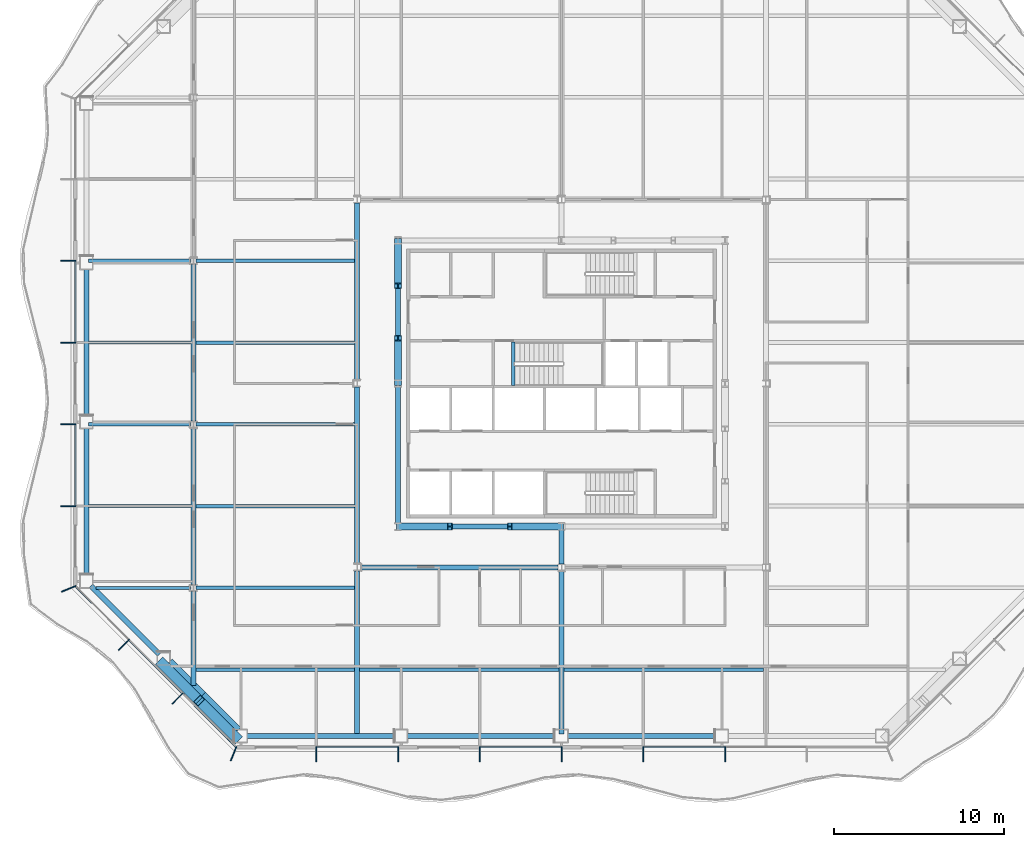
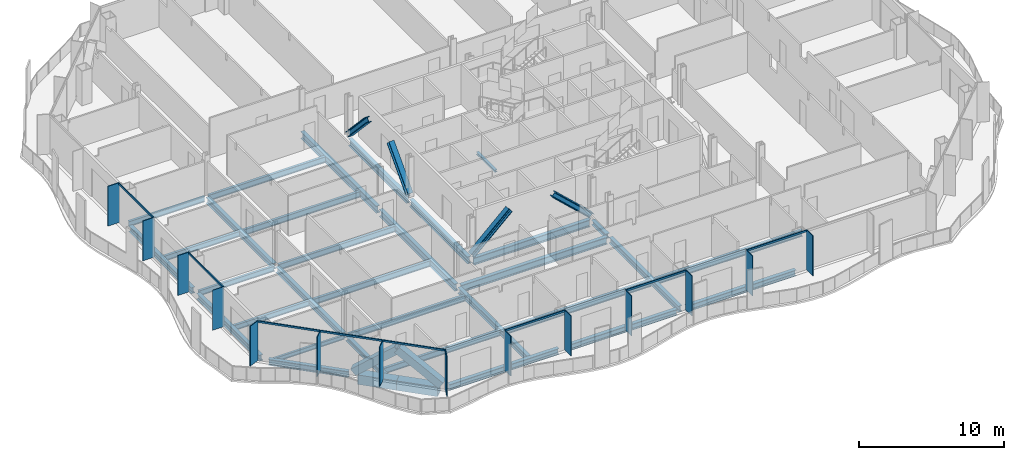
# One storey, part 3 of 23: 34 beams, 28 members, 3 elements without a shape of their own.
"""IFC4 building model written with IfcOpenShell, lengths in metres."""

from ifc_helpers import new_model, si_unit, direction, frame, origin, origin_2d, place, context, subcontext, project, spatial, rectangle, hollow_rectangle, i_section, extrude, material, material_profile, profile_set, type_object, element, aggregate, save


model = new_model("IFC4")

# Units and contexts
model_context = context("Model", 3, precision=1e-05, world=origin(), true_north=direction((0.0, 1.0)))
body_context = subcontext(model_context, "Body", "Model", "MODEL_VIEW")
ifc_project = project(units=[si_unit("LENGTHUNIT", "METRE"), si_unit("AREAUNIT", "SQUARE_METRE"), si_unit("VOLUMEUNIT", "CUBIC_METRE"), si_unit("PLANEANGLEUNIT", "RADIAN"), si_unit("MASSUNIT", "GRAM", prefix="KILO")], contexts=[model_context])

# Site, building, storey
site_placement = place(None, origin())
site = spatial("IfcSite", under=ifc_project, at=site_placement, CompositionType="ELEMENT")
building_placement = place(site_placement, origin())
building = spatial("IfcBuilding", under=site, at=building_placement, Name="Cairn Pilgrim Tower", CompositionType="ELEMENT")
storey_placement = place(building_placement, frame((0.0, 0.0, 115.800048828125)))
storey = spatial("IfcBuildingStorey", under=building, at=storey_placement, Name="L28", CompositionType="ELEMENT", Elevation=115.800048828125)

# Members
ifc_material_1 = material(Name="Structural steel S460M", Category="steel")
ifc_material_profile_1 = material_profile(ifc_material_1, hollow_rectangle(XDim=0.60009765625, YDim=0.60009765625, WallThickness=0.034912109375, at=origin_2d()), Name="BOX 600x600x35")
ifc_profile_set_1 = profile_set([ifc_material_profile_1], Name="Structural steel S460M")
member_type_1 = type_object("IfcMemberType", Name="BOX 600x600x35 BRACE", PredefinedType="BRACE", material=ifc_profile_set_1)
member_1_placement = place(storey_placement, frame((-16.29443359375, -14.007568359375, 0.14990234375), z_axis=(0.558073844199, -0.558073844199, 0.6140905217), x_axis=(0.707106781187, 0.707106781187, 0.0)))
element("IfcMember", 1, at=member_1_placement, inside=storey, type_object=member_type_1, Name="XB-SW2-S1-1", PredefinedType="BRACE", context=body_context, shape_type="SweptSolid", body=[
    extrude(hollow_rectangle(XDim=0.60009765625, YDim=0.60009765625, WallThickness=0.034912109375, at=origin_2d()), origin(), (0.0, 0.0, 1.0), 3.966064453125),
])
member_2_placement = place(storey_placement, frame((-11.87109375, -18.430908203125, 0.14990234375), z_axis=(-0.558097055313, 0.558097055313, 0.614048331731), x_axis=(-0.707106781187, -0.707106781187, 0.0)))
element("IfcMember", 2, at=member_2_placement, inside=storey, type_object=member_type_1, Name="XB-SW2-S1-2", PredefinedType="BRACE", context=body_context, shape_type="SweptSolid", body=[
    extrude(hollow_rectangle(XDim=0.60009765625, YDim=0.60009765625, WallThickness=0.034912109375, at=origin_2d()), origin(), (0.0, 0.0, 1.0), 3.96630859375),
])

# Beams
ifc_material_2 = material(Name="Structural steel S355J2", Category="steel")
ifc_material_profile_2 = material_profile(ifc_material_2, hollow_rectangle(XDim=0.699951171875, YDim=0.800048828125, WallThickness=0.0400390625, at=origin_2d()), Name="BOX 700x800x40")
ifc_profile_set_2 = profile_set([ifc_material_profile_2], Name="Structural steel S355J2")
beam_type_1 = type_object("IfcBeamType", Name="BOX 700x800x40 RING GIRDER", PredefinedType="SPANDREL", material=ifc_profile_set_2)
beam_1_placement = place(storey_placement, frame((-15.908935546875, -14.018310546875, -0.550048828125), z_axis=(0.707106781187, -0.707106781187, 0.0), x_axis=(0.707106781187, 0.707106781187, 0.0)))
element("IfcBeam", 3, at=beam_1_placement, inside=storey, type_object=beam_type_1, Name="RG1-SW2-S1-1", PredefinedType="SPANDREL", context=body_context, shape_type="SweptSolid", body=[
    extrude(hollow_rectangle(XDim=0.699951171875, YDim=0.800048828125, WallThickness=0.0400390625, at=origin_2d()), origin(), (0.0, 0.0, 1.0), 2.772216796875),
])
beam_2_placement = place(storey_placement, frame((-13.94873046875, -15.978515625, -0.550048828125), z_axis=(0.707106781187, -0.707106781187, 0.0), x_axis=(0.707106781187, 0.707106781187, 0.0)))
element("IfcBeam", 4, at=beam_2_placement, inside=storey, type_object=beam_type_1, Name="RG1-SW2-S1-2", PredefinedType="SPANDREL", context=body_context, shape_type="SweptSolid", body=[
    extrude(hollow_rectangle(XDim=0.699951171875, YDim=0.800048828125, WallThickness=0.0400390625, at=origin_2d()), origin(), (0.0, 0.0, 1.0), 2.923095703125),
])

# Curtain wall, members
ifc_material_3 = material(Name="Aluminium alloy 6063-T6 bronze anodised with Bronze tinted laminated low-E glass 8+16+8.8", Category="aluminium")
curtain_wall_type_1 = type_object("IfcCurtainWallType", Name="TOWER STICK CURTAIN WALL NS", PredefinedType="NOTDEFINED", material=ifc_material_3)
curtain_wall_1_placement = place(storey_placement, origin())
curtain_wall_1 = element("IfcCurtainWall", 5, at=curtain_wall_1_placement, inside=storey, type_object=curtain_wall_type_1, Name="Tower Stick Curtain Wall Ns S", PredefinedType="NOTDEFINED")
ifc_material_4 = material(Name="Aluminium alloy 6063-T6 bronze anodised", Category="aluminium")
ifc_material_profile_3 = material_profile(ifc_material_4, rectangle(XDim=0.89990234375, YDim=0.06005859375, at=origin_2d()), Name="FIN MULLION 60x900 BRONZE")
ifc_profile_set_3 = profile_set([ifc_material_profile_3], Name="Aluminium alloy 6063-T6 bronze anodised")
member_type_2 = type_object("IfcMemberType", Name="FIN MULLION 60x900 BRONZE", PredefinedType="MULLION", material=ifc_profile_set_3)
member_3_placement = place(storey_placement, frame((-12.05712890625, -19.338134765625, 0.0), z_axis=(0.0, 0.0, 1.0), x_axis=(-0.382683432365, -0.923879532511, 0.0)))
member_3 = element("IfcMember", 6, at=member_3_placement, type_object=member_type_2, Name="Fin mullion S1", PredefinedType="MULLION", context=body_context, shape_type="SweptSolid", body=[
    extrude(rectangle(XDim=0.89990234375, YDim=0.06005859375, at=origin_2d()), origin(), (0.0, 0.0, 1.0), 3.349853515625),
])
member_4_placement = place(storey_placement, frame((-7.199951171875, -19.3701171875, 0.0), z_axis=(0.0, 0.0, 1.0), x_axis=(0.0, -1.0, 0.0)))
member_4 = element("IfcMember", 7, at=member_4_placement, type_object=member_type_2, Name="Fin mullion S2", PredefinedType="MULLION", context=body_context, shape_type="SweptSolid", body=[
    extrude(rectangle(XDim=0.89990234375, YDim=0.06005859375, at=origin_2d()), origin(), (0.0, 0.0, 1.0), 3.349853515625),
])
member_5_placement = place(storey_placement, frame((-2.39990234375, -19.3701171875, 0.0), z_axis=(0.0, 0.0, 1.0), x_axis=(0.0, -1.0, 0.0)))
member_5 = element("IfcMember", 8, at=member_5_placement, type_object=member_type_2, Name="Fin mullion S3", PredefinedType="MULLION", context=body_context, shape_type="SweptSolid", body=[
    extrude(rectangle(XDim=0.89990234375, YDim=0.06005859375, at=origin_2d()), origin(), (0.0, 0.0, 1.0), 3.349853515625),
])
member_6_placement = place(storey_placement, frame((2.39990234375, -19.3701171875, 0.0), z_axis=(0.0, 0.0, 1.0), x_axis=(0.0, -1.0, 0.0)))
member_6 = element("IfcMember", 9, at=member_6_placement, type_object=member_type_2, Name="Fin mullion S4", PredefinedType="MULLION", context=body_context, shape_type="SweptSolid", body=[
    extrude(rectangle(XDim=0.89990234375, YDim=0.06005859375, at=origin_2d()), origin(), (0.0, 0.0, 1.0), 3.349853515625),
])
member_7_placement = place(storey_placement, frame((7.199951171875, -19.3701171875, 0.0), z_axis=(0.0, 0.0, 1.0), x_axis=(0.0, -1.0, 0.0)))
member_7 = element("IfcMember", 10, at=member_7_placement, type_object=member_type_2, Name="Fin mullion S5", PredefinedType="MULLION", context=body_context, shape_type="SweptSolid", body=[
    extrude(rectangle(XDim=0.89990234375, YDim=0.06005859375, at=origin_2d()), origin(), (0.0, 0.0, 1.0), 3.349853515625),
])
member_8_placement = place(storey_placement, frame((12.0, -19.3701171875, 0.0), z_axis=(0.0, 0.0, 1.0), x_axis=(0.0, -1.0, 0.0)))
member_8 = element("IfcMember", 11, at=member_8_placement, type_object=member_type_2, Name="Fin mullion S6", PredefinedType="MULLION", context=body_context, shape_type="SweptSolid", body=[
    extrude(rectangle(XDim=0.89990234375, YDim=0.06005859375, at=origin_2d()), origin(), (0.0, 0.0, 1.0), 3.349853515625),
])
member_9_placement = place(storey_placement, frame((16.800048828125, -19.3701171875, 0.0), z_axis=(0.0, 0.0, 1.0), x_axis=(0.0, -1.0, 0.0)))
member_9 = element("IfcMember", 12, at=member_9_placement, type_object=member_type_2, Name="Fin mullion S7", PredefinedType="MULLION", context=body_context, shape_type="SweptSolid", body=[
    extrude(rectangle(XDim=0.89990234375, YDim=0.06005859375, at=origin_2d()), origin(), (0.0, 0.0, 1.0), 3.349853515625),
])

curtain_wall_type_2 = type_object("IfcCurtainWallType", Name="TOWER STICK CURTAIN WALL EW", PredefinedType="NOTDEFINED", material=ifc_material_3)
curtain_wall_2_placement = place(storey_placement, origin())
curtain_wall_2 = element("IfcCurtainWall", 13, at=curtain_wall_2_placement, inside=storey, type_object=curtain_wall_type_2, Name="Tower Stick Curtain Wall Ew W", PredefinedType="NOTDEFINED")
member_10_placement = place(storey_placement, frame((-21.77001953125, 9.60009765625, 0.0), z_axis=(0.0, 0.0, 1.0), x_axis=(-1.0, 0.0, 0.0)))
member_10 = element("IfcMember", 14, at=member_10_placement, type_object=member_type_2, Name="Fin mullion W3", PredefinedType="MULLION", context=body_context, shape_type="SweptSolid", body=[
    extrude(rectangle(XDim=0.89990234375, YDim=0.06005859375, at=origin_2d()), origin(), (0.0, 0.0, 1.0), 3.349853515625),
])
member_11_placement = place(storey_placement, frame((-21.77001953125, 4.800048828125, 0.0), z_axis=(0.0, 0.0, 1.0), x_axis=(-1.0, 0.0, 0.0)))
member_11 = element("IfcMember", 15, at=member_11_placement, type_object=member_type_2, Name="Fin mullion W4", PredefinedType="MULLION", context=body_context, shape_type="SweptSolid", body=[
    extrude(rectangle(XDim=0.89990234375, YDim=0.06005859375, at=origin_2d()), origin(), (0.0, 0.0, 1.0), 3.349853515625),
])
member_12_placement = place(storey_placement, frame((-21.77001953125, 0.0, 0.0), z_axis=(0.0, 0.0, 1.0), x_axis=(-1.0, 0.0, 0.0)))
member_12 = element("IfcMember", 16, at=member_12_placement, type_object=member_type_2, Name="Fin mullion W5", PredefinedType="MULLION", context=body_context, shape_type="SweptSolid", body=[
    extrude(rectangle(XDim=0.89990234375, YDim=0.06005859375, at=origin_2d()), origin(), (0.0, 0.0, 1.0), 3.349853515625),
])
member_13_placement = place(storey_placement, frame((-21.77001953125, -4.800048828125, 0.0), z_axis=(0.0, 0.0, 1.0), x_axis=(-1.0, 0.0, 0.0)))
member_13 = element("IfcMember", 17, at=member_13_placement, type_object=member_type_2, Name="Fin mullion W6", PredefinedType="MULLION", context=body_context, shape_type="SweptSolid", body=[
    extrude(rectangle(XDim=0.89990234375, YDim=0.06005859375, at=origin_2d()), origin(), (0.0, 0.0, 1.0), 3.349853515625),
])

curtain_wall_type_3 = type_object("IfcCurtainWallType", Name="CHAMFER CORNER CURTAIN WALL", PredefinedType="NOTDEFINED", material=ifc_material_3)
curtain_wall_3_placement = place(storey_placement, origin())
curtain_wall_3 = element("IfcCurtainWall", 18, at=curtain_wall_3_placement, inside=storey, type_object=curtain_wall_type_3, Name="Chamfer Corner Curtain Wall SW", PredefinedType="NOTDEFINED")
member_14_placement = place(storey_placement, frame((-21.738037109375, -9.6572265625, 0.0), z_axis=(0.0, 0.0, 1.0), x_axis=(-0.923879532511, -0.382683432365, 0.0)))
member_14 = element("IfcMember", 19, at=member_14_placement, type_object=member_type_2, Name="Fin mullion SW1", PredefinedType="MULLION", context=body_context, shape_type="SweptSolid", body=[
    extrude(rectangle(XDim=0.89990234375, YDim=0.06005859375, at=origin_2d()), origin(), (0.0, 0.0, 1.0), 3.349853515625),
])
member_15_placement = place(storey_placement, frame((-18.495849609375, -12.944580078125, 0.0), z_axis=(0.0, 0.0, 1.0), x_axis=(-0.707106781187, -0.707106781187, 0.0)))
member_15 = element("IfcMember", 20, at=member_15_placement, type_object=member_type_2, Name="Fin mullion SW2", PredefinedType="MULLION", context=body_context, shape_type="SweptSolid", body=[
    extrude(rectangle(XDim=0.89990234375, YDim=0.06005859375, at=origin_2d()), origin(), (0.0, 0.0, 1.0), 3.349853515625),
])
member_16_placement = place(storey_placement, frame((-15.3447265625, -16.095703125, 0.0), z_axis=(0.0, 0.0, 1.0), x_axis=(-0.707106781187, -0.707106781187, 0.0)))
member_16 = element("IfcMember", 21, at=member_16_placement, type_object=member_type_2, Name="Fin mullion SW3", PredefinedType="MULLION", context=body_context, shape_type="SweptSolid", body=[
    extrude(rectangle(XDim=0.89990234375, YDim=0.06005859375, at=origin_2d()), origin(), (0.0, 0.0, 1.0), 3.349853515625),
])

# Members
ifc_material_profile_4 = material_profile(ifc_material_1, i_section(OverallWidth=0.408935546875, OverallDepth=0.425048828125, WebThickness=0.03271484375, FlangeThickness=0.052490234375, FilletRadius=0.014892578125, at=origin_2d()), Name="HD 400x421")
ifc_profile_set_4 = profile_set([ifc_material_profile_4], Name="Structural steel S460M")
member_type_3 = type_object("IfcMemberType", Name="HD 400x421 BRACE", PredefinedType="BRACE", material=ifc_profile_set_4)
for number, where, z_axis, x_axis, name in (
    (22, (-2.357666015625, -6.0, 0.099853515625), (0.730853396233, 0.0, 0.682534477674), (0.0, 1.0, 0.0), "KB-1A"),
    (23, (7.15771484375, -6.0, 0.099853515625), (-0.730853396233, 0.0, 0.682534477674), (0.0, -1.0, 0.0), "KB-1B"),
):
    element("IfcMember", number, at=place(storey_placement, frame(where, z_axis=z_axis, x_axis=x_axis)), inside=storey, type_object=member_type_3, Name=name, PredefinedType="BRACE", context=body_context, shape_type="SweptSolid", body=[
        extrude(i_section(OverallWidth=0.408935546875, OverallDepth=0.425048828125, WebThickness=0.03271484375, FlangeThickness=0.052490234375, FilletRadius=0.014892578125, at=origin_2d()), origin(), (0.0, 0.0, 1.0), 4.102783203125),
    ])
member_17_placement = place(storey_placement, frame((-2.39990234375, 10.757568359375, 0.099853515625), z_axis=(0.0, -0.682914137035, 0.730498652592), x_axis=(1.0, 0.0, 0.0)))
element("IfcMember", 24, at=member_17_placement, inside=storey, type_object=member_type_3, Name="KB-4A", PredefinedType="BRACE", context=body_context, shape_type="SweptSolid", body=[
    extrude(i_section(OverallWidth=0.408935546875, OverallDepth=0.425048828125, WebThickness=0.03271484375, FlangeThickness=0.052490234375, FilletRadius=0.014892578125, at=origin_2d()), origin(), (0.0, 0.0, 1.0), 3.837646484375),
])
member_18_placement = place(storey_placement, frame((-2.39990234375, 2.4423828125, 0.099853515625), z_axis=(0.0, 0.682948081939, 0.730466917372), x_axis=(-1.0, 0.0, 0.0)))
element("IfcMember", 25, at=member_18_placement, inside=storey, type_object=member_type_3, Name="KB-4B", PredefinedType="BRACE", context=body_context, shape_type="SweptSolid", body=[
    extrude(i_section(OverallWidth=0.408935546875, OverallDepth=0.425048828125, WebThickness=0.03271484375, FlangeThickness=0.052490234375, FilletRadius=0.014892578125, at=origin_2d()), origin(), (0.0, 0.0, 1.0), 3.837890625),
])

# Beams
ifc_material_profile_5 = material_profile(ifc_material_2, i_section(OverallWidth=0.300048828125, OverallDepth=0.39990234375, WebThickness=0.013427734375, FlangeThickness=0.02392578125, FilletRadius=0.027099609375, at=origin_2d()), Name="HEB 400")
ifc_profile_set_5 = profile_set([ifc_material_profile_5], Name="Structural steel S355J2")
beam_type_2 = type_object("IfcBeamType", Name="HEB 400 GIRDER", PredefinedType="BEAM", material=ifc_profile_set_5)
beam_3_placement = place(storey_placement, frame((-14.39990234375, -15.34521484375, -0.35009765625), z_axis=(0.0, 1.0, 0.0), x_axis=(-1.0, 0.0, 0.0)))
element("IfcBeam", 26, at=beam_3_placement, inside=storey, type_object=beam_type_2, Name="PG1-1", PredefinedType="BEAM", context=body_context, shape_type="SweptSolid", body=[
    extrude(i_section(OverallWidth=0.300048828125, OverallDepth=0.39990234375, WebThickness=0.013427734375, FlangeThickness=0.02392578125, FilletRadius=0.027099609375, at=origin_2d()), origin(), (0.0, 0.0, 1.0), 5.545654296875),
])
beam_4_placement = place(storey_placement, frame((7.199951171875, -8.195556640625, -0.35009765625), z_axis=(0.0, 1.0, 0.0), x_axis=(-1.0, 0.0, 0.0)))
element("IfcBeam", 27, at=beam_4_placement, inside=storey, type_object=beam_type_2, Name="PG3-E1", PredefinedType="BEAM", context=body_context, shape_type="SweptSolid", body=[
    extrude(i_section(OverallWidth=0.300048828125, OverallDepth=0.39990234375, WebThickness=0.013427734375, FlangeThickness=0.02392578125, FilletRadius=0.027099609375, at=origin_2d()), origin(), (0.0, 0.0, 1.0), 1.983642578125),
])
ifc_material_profile_6 = material_profile(ifc_material_2, i_section(OverallWidth=0.300048828125, OverallDepth=0.5, WebThickness=0.014404296875, FlangeThickness=0.028076171875, FilletRadius=0.027099609375, at=origin_2d()), Name="HEB 500")
ifc_profile_set_6 = profile_set([ifc_material_profile_6], Name="Structural steel S355J2")
beam_type_3 = type_object("IfcBeamType", Name="HEB 500 GIRDER", PredefinedType="BEAM", material=ifc_profile_set_6)
for number, where, z_axis, x_axis, name in (
    (28, (-14.39990234375, -9.400390625, -0.400146484375), (0.0, 1.0, 0.0), (-1.0, 0.0, 0.0), "PG1-2"),
    (29, (-14.39990234375, 0.199462890625, -0.400146484375), (0.0, 1.0, 0.0), (-1.0, 0.0, 0.0), "PG1-3"),
):
    element("IfcBeam", number, at=place(storey_placement, frame(where, z_axis=z_axis, x_axis=x_axis)), inside=storey, type_object=beam_type_3, Name=name, PredefinedType="BEAM", context=body_context, shape_type="SweptSolid", body=[
        extrude(i_section(OverallWidth=0.300048828125, OverallDepth=0.5, WebThickness=0.014404296875, FlangeThickness=0.028076171875, FilletRadius=0.027099609375, at=origin_2d()), origin(), (0.0, 0.0, 1.0), 9.200927734375),
    ])
for number, where, z_axis, x_axis, name in (
    (30, (-4.800048828125, -18.179931640625, -0.400146484375), (0.0, 1.0, 0.0), (-1.0, 0.0, 0.0), "PG2-1"),
    (31, (7.199951171875, -18.179931640625, -0.400146484375), (0.0, 1.0, 0.0), (-1.0, 0.0, 0.0), "PG3-1"),
):
    element("IfcBeam", number, at=place(storey_placement, frame(where, z_axis=z_axis, x_axis=x_axis)), inside=storey, type_object=beam_type_3, Name=name, PredefinedType="BEAM", context=body_context, shape_type="SweptSolid", body=[
        extrude(i_section(OverallWidth=0.300048828125, OverallDepth=0.5, WebThickness=0.014404296875, FlangeThickness=0.028076171875, FilletRadius=0.027099609375, at=origin_2d()), origin(), (0.0, 0.0, 1.0), 9.575439453125),
    ])
ifc_material_profile_7 = material_profile(ifc_material_2, i_section(OverallWidth=0.300048828125, OverallDepth=0.5, WebThickness=0.014404296875, FlangeThickness=0.028076171875, FilletRadius=0.027099609375, at=origin_2d()), Name="HEB 500")
ifc_profile_set_7 = profile_set([ifc_material_profile_7], Name="Structural steel S355J2")
beam_type_4 = type_object("IfcBeamType", Name="HEB 500 RING GIRDER", PredefinedType="SPANDREL", material=ifc_profile_set_7)
for number, where, z_axis, x_axis, name in (
    (32, (-11.26708984375, -18.300048828125, -0.400146484375), (1.0, 0.0, 0.0), (0.0, 1.0, 0.0), "RG1-S1-S2"),
    (33, (-1.853515625, -18.300048828125, -0.400146484375), (1.0, 0.0, 0.0), (0.0, 1.0, 0.0), "RG1-S2-S3"),
    (34, (7.56005859375, -18.300048828125, -0.400146484375), (1.0, 0.0, 0.0), (0.0, 1.0, 0.0), "RG1-S3-S4"),
):
    element("IfcBeam", number, at=place(storey_placement, frame(where, z_axis=z_axis, x_axis=x_axis)), inside=storey, type_object=beam_type_4, Name=name, PredefinedType="SPANDREL", context=body_context, shape_type="SweptSolid", body=[
        extrude(i_section(OverallWidth=0.300048828125, OverallDepth=0.5, WebThickness=0.014404296875, FlangeThickness=0.028076171875, FilletRadius=0.027099609375, at=origin_2d()), origin(), (0.0, 0.0, 1.0), 8.693603515625),
    ])
beam_5_placement = place(storey_placement, frame((-20.699951171875, 9.11572265625, -0.400146484375), z_axis=(0.0, -1.0, 0.0), x_axis=(1.0, 0.0, 0.0)))
element("IfcBeam", 35, at=beam_5_placement, inside=storey, type_object=beam_type_4, Name="RG1-W2-W3", PredefinedType="SPANDREL", context=body_context, shape_type="SweptSolid", body=[
    extrude(i_section(OverallWidth=0.300048828125, OverallDepth=0.5, WebThickness=0.014404296875, FlangeThickness=0.028076171875, FilletRadius=0.027099609375, at=origin_2d()), origin(), (0.0, 0.0, 1.0), 8.63134765625),
])
beam_6_placement = place(storey_placement, frame((-20.699951171875, -0.235595703125, -0.400146484375), z_axis=(0.0, -1.0, 0.0), x_axis=(1.0, 0.0, 0.0)))
element("IfcBeam", 36, at=beam_6_placement, inside=storey, type_object=beam_type_4, Name="RG1-W3-SW1", PredefinedType="SPANDREL", context=body_context, shape_type="SweptSolid", body=[
    extrude(i_section(OverallWidth=0.300048828125, OverallDepth=0.5, WebThickness=0.014404296875, FlangeThickness=0.028076171875, FilletRadius=0.027099609375, at=origin_2d()), origin(), (0.0, 0.0, 1.0), 8.631591796875),
])
beam_7_placement = place(storey_placement, frame((-20.4453125, -9.481689453125, -0.400146484375), z_axis=(0.707085347538, -0.707128214185, 0.0), x_axis=(0.707128214185, 0.707085347538, 0.0)))
element("IfcBeam", 37, at=beam_7_placement, inside=storey, type_object=beam_type_4, Name="RG1-SW1-SW2", PredefinedType="SPANDREL", context=body_context, shape_type="SweptSolid", body=[
    extrude(i_section(OverallWidth=0.300048828125, OverallDepth=0.5, WebThickness=0.014404296875, FlangeThickness=0.028076171875, FilletRadius=0.027099609375, at=origin_2d()), origin(), (0.0, 0.0, 1.0), 5.6953125),
])
ifc_material_profile_8 = material_profile(ifc_material_2, i_section(OverallWidth=0.300048828125, OverallDepth=0.60009765625, WebThickness=0.015380859375, FlangeThickness=0.030029296875, FilletRadius=0.027099609375, at=origin_2d()), Name="HEB 600")
ifc_profile_set_8 = profile_set([ifc_material_profile_8], Name="Structural steel S355J2")
beam_type_5 = type_object("IfcBeamType", Name="HEB 600 CORE BEAM", PredefinedType="BEAM", material=ifc_profile_set_8)
beam_8_placement = place(storey_placement, frame((-2.209228515625, -6.0, -0.449951171875), z_axis=(1.0, 0.0, 0.0), x_axis=(0.0, 1.0, 0.0)))
element("IfcBeam", 38, at=beam_8_placement, inside=storey, type_object=beam_type_5, Name="CB-1", PredefinedType="BEAM", context=body_context, shape_type="SweptSolid", body=[
    extrude(i_section(OverallWidth=0.300048828125, OverallDepth=0.60009765625, WebThickness=0.015380859375, FlangeThickness=0.030029296875, FilletRadius=0.027099609375, at=origin_2d()), origin(), (0.0, 0.0, 1.0), 9.218505859375),
])
for number, where, z_axis, x_axis, name in (
    (39, (-2.39990234375, 10.609130859375, -0.449951171875), (0.0, -1.0, 0.0), (1.0, 0.0, 0.0), "CB-7"),
    (40, (-2.39990234375, 2.209228515625, -0.449951171875), (0.0, -1.0, 0.0), (1.0, 0.0, 0.0), "CB-8"),
):
    element("IfcBeam", number, at=place(storey_placement, frame(where, z_axis=z_axis, x_axis=x_axis)), inside=storey, type_object=beam_type_5, Name=name, PredefinedType="BEAM", context=body_context, shape_type="SweptSolid", body=[
        extrude(i_section(OverallWidth=0.300048828125, OverallDepth=0.60009765625, WebThickness=0.015380859375, FlangeThickness=0.030029296875, FilletRadius=0.027099609375, at=origin_2d()), origin(), (0.0, 0.0, 1.0), 8.018310546875),
    ])
ifc_material_profile_9 = material_profile(ifc_material_2, i_section(OverallWidth=0.300048828125, OverallDepth=0.60009765625, WebThickness=0.015380859375, FlangeThickness=0.030029296875, FilletRadius=0.027099609375, at=origin_2d()), Name="HEB 600")
ifc_profile_set_9 = profile_set([ifc_material_profile_9], Name="Structural steel S355J2")
beam_type_6 = type_object("IfcBeamType", Name="HEB 600 GIRDER", PredefinedType="BEAM", material=ifc_profile_set_9)
for number, where, z_axis, x_axis, name in (
    (41, (-4.800048828125, -8.195556640625, -0.449951171875), (0.0, 1.0, 0.0), (-1.0, 0.0, 0.0), "PG2-2"),
    (42, (-4.800048828125, 2.6044921875, -0.449951171875), (0.0, 1.0, 0.0), (-1.0, 0.0, 0.0), "PG2-3"),
):
    element("IfcBeam", number, at=place(storey_placement, frame(where, z_axis=z_axis, x_axis=x_axis)), inside=storey, type_object=beam_type_6, Name=name, PredefinedType="BEAM", context=body_context, shape_type="SweptSolid", body=[
        extrude(i_section(OverallWidth=0.300048828125, OverallDepth=0.60009765625, WebThickness=0.015380859375, FlangeThickness=0.030029296875, FilletRadius=0.027099609375, at=origin_2d()), origin(), (0.0, 0.0, 1.0), 10.39111328125),
    ])
ifc_material_profile_10 = material_profile(ifc_material_2, i_section(OverallWidth=0.300048828125, OverallDepth=0.60009765625, WebThickness=0.015380859375, FlangeThickness=0.030029296875, FilletRadius=0.027099609375, at=origin_2d()), Name="HEB 600")
ifc_profile_set_10 = profile_set([ifc_material_profile_10], Name="Structural steel S355J2")
beam_type_7 = type_object("IfcBeamType", Name="HEB 600 INNER GIRDER", PredefinedType="BEAM", material=ifc_profile_set_10)
beam_9_placement = place(storey_placement, frame((-4.595458984375, -8.39990234375, -0.449951171875), z_axis=(1.0, 0.0, 0.0), x_axis=(0.0, 1.0, 0.0)))
element("IfcBeam", 43, at=beam_9_placement, inside=storey, type_object=beam_type_7, Name="IG1-1", PredefinedType="BEAM", context=body_context, shape_type="SweptSolid", body=[
    extrude(i_section(OverallWidth=0.300048828125, OverallDepth=0.60009765625, WebThickness=0.015380859375, FlangeThickness=0.030029296875, FilletRadius=0.027099609375, at=origin_2d()), origin(), (0.0, 0.0, 1.0), 11.591064453125),
])
ifc_material_profile_11 = material_profile(ifc_material_2, i_section(OverallWidth=0.169921875, OverallDepth=0.360107421875, WebThickness=0.008056640625, FlangeThickness=0.0126953125, FilletRadius=0.01806640625, at=origin_2d()), Name="IPE 360")
ifc_profile_set_11 = profile_set([ifc_material_profile_11], Name="Structural steel S355J2")
beam_type_8 = type_object("IfcBeamType", Name="IPE 360 SECONDARY BEAM", PredefinedType="JOIST", material=ifc_profile_set_11)
beam_10_placement = place(storey_placement, frame((-20.14501953125, -9.60009765625, -0.330078125), z_axis=(1.0, 0.0, 0.0), x_axis=(0.0, 1.0, 0.0)))
element("IfcBeam", 44, at=beam_10_placement, inside=storey, type_object=beam_type_8, Name="SB2-1", PredefinedType="JOIST", context=body_context, shape_type="SweptSolid", body=[
    extrude(i_section(OverallWidth=0.169921875, OverallDepth=0.360107421875, WebThickness=0.008056640625, FlangeThickness=0.0126953125, FilletRadius=0.01806640625, at=origin_2d()), origin(), (0.0, 0.0, 1.0), 5.594970703125),
])
ifc_material_profile_12 = material_profile(ifc_material_2, i_section(OverallWidth=0.18994140625, OverallDepth=0.449951171875, WebThickness=0.009521484375, FlangeThickness=0.0146484375, FilletRadius=0.02099609375, at=origin_2d()), Name="IPE 450")
ifc_profile_set_12 = profile_set([ifc_material_profile_12], Name="Structural steel S355J2")
beam_type_9 = type_object("IfcBeamType", Name="IPE 450 SECONDARY BEAM", PredefinedType="JOIST", material=ifc_profile_set_12)
for number, where, z_axis, x_axis, name in (
    (45, (-20.580078125, -4.800048828125, -0.375), (1.0, 0.0, 0.0), (0.0, 1.0, 0.0), "SB3-1"),
    (46, (-20.580078125, 0.0, -0.375), (1.0, 0.0, 0.0), (0.0, 1.0, 0.0), "SB4-1"),
    (47, (-20.580078125, 4.800048828125, -0.375), (1.0, 0.0, 0.0), (0.0, 1.0, 0.0), "SB5-1"),
    (48, (-20.580078125, 9.60009765625, -0.375), (1.0, 0.0, 0.0), (0.0, 1.0, 0.0), "SB6-1"),
):
    element("IfcBeam", number, at=place(storey_placement, frame(where, z_axis=z_axis, x_axis=x_axis)), inside=storey, type_object=beam_type_9, Name=name, PredefinedType="JOIST", context=body_context, shape_type="SweptSolid", body=[
        extrude(i_section(OverallWidth=0.18994140625, OverallDepth=0.449951171875, WebThickness=0.009521484375, FlangeThickness=0.0146484375, FilletRadius=0.02099609375, at=origin_2d()), origin(), (0.0, 0.0, 1.0), 6.030029296875),
    ])
ifc_material_profile_13 = material_profile(ifc_material_2, i_section(OverallWidth=0.199951171875, OverallDepth=0.5, WebThickness=0.01025390625, FlangeThickness=0.01611328125, FilletRadius=0.02099609375, at=origin_2d()), Name="IPE 500")
ifc_profile_set_13 = profile_set([ifc_material_profile_13], Name="Structural steel S355J2")
beam_type_10 = type_object("IfcBeamType", Name="IPE 500 SECONDARY BEAM", PredefinedType="JOIST", material=ifc_profile_set_13)
for number, where, z_axis, x_axis, name in (
    (49, (-14.25, -14.39990234375, -0.400146484375), (1.0, 0.0, 0.0), (0.0, 1.0, 0.0), "SB1-1"),
    (50, (-14.25, -9.60009765625, -0.400146484375), (1.0, 0.0, 0.0), (0.0, 1.0, 0.0), "SB2-2"),
    (51, (-14.25, -4.800048828125, -0.400146484375), (1.0, 0.0, 0.0), (0.0, 1.0, 0.0), "SB3-2"),
    (52, (-14.25, 0.0, -0.400146484375), (1.0, 0.0, 0.0), (0.0, 1.0, 0.0), "SB4-2"),
    (53, (-14.25, 4.800048828125, -0.400146484375), (1.0, 0.0, 0.0), (0.0, 1.0, 0.0), "SB5-2"),
    (54, (-14.25, 9.60009765625, -0.400146484375), (1.0, 0.0, 0.0), (0.0, 1.0, 0.0), "SB6-2"),
):
    element("IfcBeam", number, at=place(storey_placement, frame(where, z_axis=z_axis, x_axis=x_axis)), inside=storey, type_object=beam_type_10, Name=name, PredefinedType="JOIST", context=body_context, shape_type="SweptSolid", body=[
        extrude(i_section(OverallWidth=0.199951171875, OverallDepth=0.5, WebThickness=0.01025390625, FlangeThickness=0.01611328125, FilletRadius=0.02099609375, at=origin_2d()), origin(), (0.0, 0.0, 1.0), 9.300048828125),
    ])
ifc_material_profile_14 = material_profile(ifc_material_2, i_section(OverallWidth=0.2099609375, OverallDepth=0.550048828125, WebThickness=0.010986328125, FlangeThickness=0.01708984375, FilletRadius=0.02392578125, at=origin_2d()), Name="IPE 550")
ifc_profile_set_14 = profile_set([ifc_material_profile_14], Name="Structural steel S355J2")
beam_type_11 = type_object("IfcBeamType", Name="IPE 550 SECONDARY BEAM", PredefinedType="JOIST", material=ifc_profile_set_14)
for number, where, z_axis, x_axis, name in (
    (55, (-4.64990234375, -14.39990234375, -0.425048828125), (1.0, 0.0, 0.0), (0.0, 1.0, 0.0), "SB1-2"),
    (56, (7.35009765625, -14.39990234375, -0.425048828125), (1.0, 0.0, 0.0), (0.0, 1.0, 0.0), "SB1-3"),
):
    element("IfcBeam", number, at=place(storey_placement, frame(where, z_axis=z_axis, x_axis=x_axis)), inside=storey, type_object=beam_type_11, Name=name, PredefinedType="JOIST", context=body_context, shape_type="SweptSolid", body=[
        extrude(i_section(OverallWidth=0.2099609375, OverallDepth=0.550048828125, WebThickness=0.010986328125, FlangeThickness=0.01708984375, FilletRadius=0.02392578125, at=origin_2d()), origin(), (0.0, 0.0, 1.0), 11.699951171875),
    ])
ifc_material_profile_15 = material_profile(ifc_material_2, i_section(OverallWidth=0.199951171875, OverallDepth=0.199951171875, WebThickness=0.009033203125, FlangeThickness=0.014892578125, FilletRadius=0.01806640625, at=origin_2d()), Name="HE 200 B")
ifc_profile_set_15 = profile_set([ifc_material_profile_15], Name="Structural steel S355J2")
beam_type_12 = type_object("IfcBeamType", Name="STAIR LANDING BEAM HE 200 B", PredefinedType="BEAM", material=ifc_profile_set_15)
beam_11_placement = place(storey_placement, frame((4.37548828125, 2.27490234375, -0.25), z_axis=(0.0, 1.0, 0.0), x_axis=(-1.0, 0.0, 0.0)))
element("IfcBeam", 57, at=beam_11_placement, inside=storey, type_object=beam_type_12, Name="STAIR LANDING BEAM LD-HE200B", PredefinedType="BEAM", context=body_context, shape_type="SweptSolid", body=[
    extrude(i_section(OverallWidth=0.199951171875, OverallDepth=0.199951171875, WebThickness=0.009033203125, FlangeThickness=0.014892578125, FilletRadius=0.01806640625, at=origin_2d()), origin(), (0.0, 0.0, 1.0), 2.550048828125),
])

# Member
ifc_material_profile_16 = material_profile(ifc_material_4, rectangle(XDim=0.080078125, YDim=0.14990234375, at=origin_2d()), Name="TRANSOM 80x150 BRONZE")
ifc_profile_set_16 = profile_set([ifc_material_profile_16], Name="Aluminium alloy 6063-T6 bronze anodised")
member_type_4 = type_object("IfcMemberType", Name="TRANSOM 80x150 BRONZE", PredefinedType="USERDEFINED", material=ifc_profile_set_16)
member_19_placement = place(storey_placement, frame((-7.169921875, -18.949951171875, 3.27490234375), z_axis=(1.0, 0.0, 0.0), x_axis=(0.0, 1.0, 0.0)))
member_19 = element("IfcMember", 58, at=member_19_placement, type_object=member_type_4, Name="Transom S2", ObjectType="TRANSOM", PredefinedType="USERDEFINED", context=body_context, shape_type="SweptSolid", body=[
    extrude(rectangle(XDim=0.080078125, YDim=0.14990234375, at=origin_2d()), origin(), (0.0, 0.0, 1.0), 4.739990234375),
])

member_20_placement = place(storey_placement, frame((2.429931640625, -18.949951171875, 3.27490234375), z_axis=(1.0, 0.0, 0.0), x_axis=(0.0, 1.0, 0.0)))
member_20 = element("IfcMember", 59, at=member_20_placement, type_object=member_type_4, Name="Transom S4", ObjectType="TRANSOM", PredefinedType="USERDEFINED", context=body_context, shape_type="SweptSolid", body=[
    extrude(rectangle(XDim=0.080078125, YDim=0.14990234375, at=origin_2d()), origin(), (0.0, 0.0, 1.0), 4.739990234375),
])

member_21_placement = place(storey_placement, frame((12.030029296875, -18.949951171875, 3.27490234375), z_axis=(1.0, 0.0, 0.0), x_axis=(0.0, 1.0, 0.0)))
member_21 = element("IfcMember", 60, at=member_21_placement, type_object=member_type_4, Name="Transom S6", ObjectType="TRANSOM", PredefinedType="USERDEFINED", context=body_context, shape_type="SweptSolid", body=[
    extrude(rectangle(XDim=0.080078125, YDim=0.14990234375, at=origin_2d()), origin(), (0.0, 0.0, 1.0), 4.739990234375),
])

aggregate(curtain_wall_1, [member_3, member_4, member_5, member_6, member_7, member_8, member_9, member_19, member_20, member_21])

member_22_placement = place(storey_placement, frame((-21.35009765625, 9.570068359375, 3.27490234375), z_axis=(0.0, -1.0, 0.0), x_axis=(1.0, 0.0, 0.0)))
member_22 = element("IfcMember", 61, at=member_22_placement, type_object=member_type_4, Name="Transom W3", ObjectType="TRANSOM", PredefinedType="USERDEFINED", context=body_context, shape_type="SweptSolid", body=[
    extrude(rectangle(XDim=0.080078125, YDim=0.14990234375, at=origin_2d()), origin(), (0.0, 0.0, 1.0), 4.739990234375),
])

member_23_placement = place(storey_placement, frame((-21.35009765625, -0.030029296875, 3.27490234375), z_axis=(0.0, -1.0, 0.0), x_axis=(1.0, 0.0, 0.0)))
member_23 = element("IfcMember", 62, at=member_23_placement, type_object=member_type_4, Name="Transom W5", ObjectType="TRANSOM", PredefinedType="USERDEFINED", context=body_context, shape_type="SweptSolid", body=[
    extrude(rectangle(XDim=0.080078125, YDim=0.14990234375, at=origin_2d()), origin(), (0.0, 0.0, 1.0), 4.739990234375),
])

aggregate(curtain_wall_2, [member_10, member_11, member_12, member_13, member_22, member_23])

member_24_placement = place(storey_placement, frame((-21.32177734375, -9.524658203125, 3.27490234375), z_axis=(0.707106781187, -0.707106781187, 0.0), x_axis=(0.707106781187, 0.707106781187, 0.0)))
member_24 = element("IfcMember", 63, at=member_24_placement, type_object=member_type_4, Name="Transom SW1", ObjectType="TRANSOM", PredefinedType="USERDEFINED", context=body_context, shape_type="SweptSolid", body=[
    extrude(rectangle(XDim=0.080078125, YDim=0.14990234375, at=origin_2d()), origin(), (0.0, 0.0, 1.0), 4.38671875),
])

member_25_placement = place(storey_placement, frame((-18.177490234375, -12.6689453125, 3.27490234375), z_axis=(0.707106781187, -0.707106781187, 0.0), x_axis=(0.707106781187, 0.707106781187, 0.0)))
member_25 = element("IfcMember", 64, at=member_25_placement, type_object=member_type_4, Name="Transom SW2", ObjectType="TRANSOM", PredefinedType="USERDEFINED", context=body_context, shape_type="SweptSolid", body=[
    extrude(rectangle(XDim=0.080078125, YDim=0.14990234375, at=origin_2d()), origin(), (0.0, 0.0, 1.0), 4.396240234375),
])

member_26_placement = place(storey_placement, frame((-15.0263671875, -15.820068359375, 3.27490234375), z_axis=(0.707106781187, -0.707106781187, 0.0), x_axis=(0.707106781187, 0.707106781187, 0.0)))
member_26 = element("IfcMember", 65, at=member_26_placement, type_object=member_type_4, Name="Transom SW3", ObjectType="TRANSOM", PredefinedType="USERDEFINED", context=body_context, shape_type="SweptSolid", body=[
    extrude(rectangle(XDim=0.080078125, YDim=0.14990234375, at=origin_2d()), origin(), (0.0, 0.0, 1.0), 4.38623046875),
])

aggregate(curtain_wall_3, [member_14, member_15, member_16, member_24, member_25, member_26])

save(model, "model.ifc")
